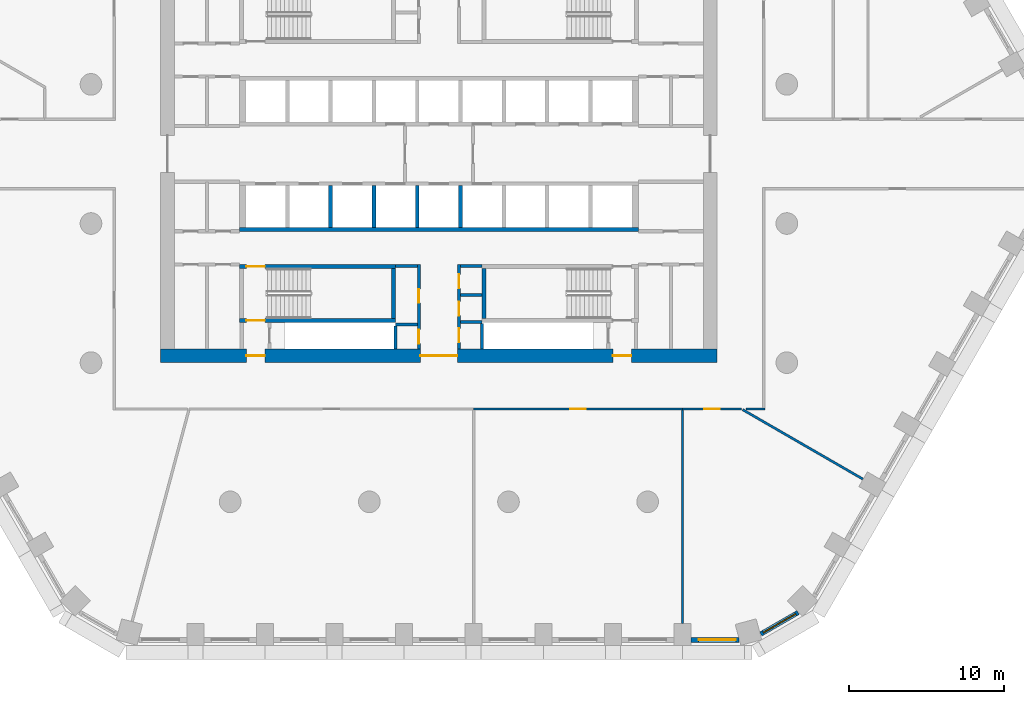
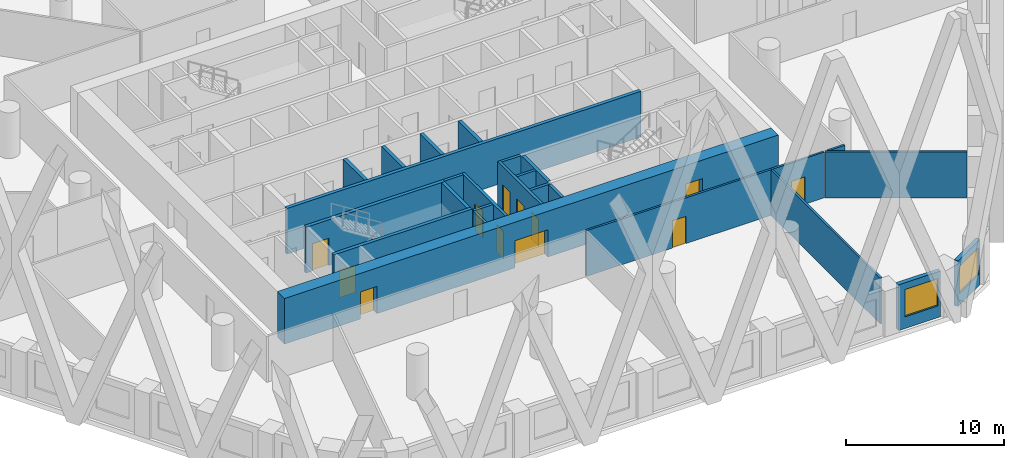
# One storey, part 3 of 18: 26 walls, 12 doors, 2 windows, 14 openings.
"""IFC4 building model written with IfcOpenShell, lengths in metres."""

from ifc_helpers import new_model, si_unit, direction, frame, frame_2d, origin, place, context, subcontext, project, spatial, polyline, rectangle, outline, extrude, material, layer, layer_set, type_object, element, fill, save


model = new_model("IFC4")

# Units and contexts
model_context = context("Model", 3, precision=1e-05, world=origin(), true_north=direction((0.0, 1.0)))
body_context = subcontext(model_context, "Body", "Model", "MODEL_VIEW")
ifc_project = project(units=[si_unit("LENGTHUNIT", "METRE"), si_unit("AREAUNIT", "SQUARE_METRE"), si_unit("VOLUMEUNIT", "CUBIC_METRE"), si_unit("PLANEANGLEUNIT", "RADIAN"), si_unit("MASSUNIT", "GRAM", prefix="KILO")], contexts=[model_context])

# Site, building, storey
site_placement = place(None, origin())
site = spatial("IfcSite", under=ifc_project, at=site_placement, CompositionType="ELEMENT")
building_placement = place(site_placement, origin())
building = spatial("IfcBuilding", under=site, at=building_placement, Name="Dhurran Vertical Campus", CompositionType="ELEMENT")
storey_placement = place(building_placement, frame((0.0, 0.0, 53.39990234375)))
storey = spatial("IfcBuildingStorey", under=building, at=storey_placement, Name="L12", CompositionType="ELEMENT", Elevation=53.39990234375)

# Wall, opening, window
ifc_material_1 = material(Name="Precast concrete C50/60", Category="concrete")
ifc_layer_1 = layer(ifc_material_1, 0.300048828125)
ifc_layer_set_1 = layer_set([ifc_layer_1], Name="Precast concrete C50/60")
wall_type_1 = type_object("IfcWallType", Name="Precast spandrel wall 300", PredefinedType="SOLIDWALL", material=ifc_layer_set_1)
wall_1_placement = place(storey_placement, frame((16.300537109375, -31.4296875, 0.0), z_axis=(0.0, 0.0, 1.0), x_axis=(1.0, 0.0, 0.0)))
wall_1 = element("IfcWall", 1, at=wall_1_placement, inside=storey, type_object=wall_type_1, Name="EW1 L12.08", PredefinedType="SOLIDWALL", context=body_context, shape_type="SweptSolid", body=[
    extrude(rectangle(XDim=3.090576171875, YDim=0.300048828125, at=frame_2d((1.54541015625, 0.0))), origin(), (0.0, 0.0, 1.0), 3.525146484375),
])
opening_1_placement = place(wall_1_placement, frame((0.49951171875, 0.0, 0.89990234375)))
opening_1 = element("IfcOpeningElement", 2, at=opening_1_placement, cuts=wall_1, Name="Opening WT1", PredefinedType="OPENING", context=body_context, shape_type="SweptSolid", body=[
    extrude(rectangle(XDim=2.39990234375, YDim=2.10009765625, at=frame_2d((1.199951171875, 1.050048828125))), frame((0.0, 0.159912109375, 0.0), z_axis=(0.0, -1.0, 0.0), x_axis=(1.0, 0.0, 0.0)), (0.0, 0.0, 1.0), 0.320068359375),
])
ifc_material_2 = material(Name="Aluminium frame with solar-control glass", Category="aluminium")
window_type = type_object("IfcWindowType", Name="Punched window 2400 x 2100", PartitioningType="SINGLE_PANEL", PredefinedType="WINDOW", material=ifc_material_2)
window_1_placement = place(opening_1_placement, origin())
window_1 = element("IfcWindow", 3, at=window_1_placement, inside=storey, type_object=window_type, Name="WT1 L12.08", OverallHeight=2.10009765625, OverallWidth=2.39990234375, PartitioningType="SINGLE_PANEL", PredefinedType="WINDOW", context=body_context, shape_type="SweptSolid", body=[
    extrude(rectangle(XDim=2.39990234375, YDim=2.10009765625, at=frame_2d((1.199951171875, 1.050048828125))), frame((0.0, 0.030029296875, 0.0), z_axis=(0.0, -1.0, 0.0), x_axis=(1.0, 0.0, 0.0)), (0.0, 0.0, 1.0), 0.06005859375),
])
fill(opening_1, window_1)

wall_2_placement = place(storey_placement, frame((20.81884765625, -31.047119140625, 0.0), z_axis=(0.0, 0.0, 1.0), x_axis=(0.866020456713, 0.500008568482, 0.0)))
wall_2 = element("IfcWall", 4, at=wall_2_placement, inside=storey, type_object=wall_type_1, Name="EW1 L12.09", PredefinedType="SOLIDWALL", context=body_context, shape_type="SweptSolid", body=[
    extrude(rectangle(XDim=2.7822265625, YDim=0.300048828125, at=frame_2d((1.39111328125, 0.0))), origin(), (0.0, 0.0, 1.0), 3.525146484375),
])
opening_2_placement = place(wall_2_placement, frame((0.191162109375, 0.0, 0.89990234375)))
opening_2 = element("IfcOpeningElement", 5, at=opening_2_placement, cuts=wall_2, Name="Opening WT1", PredefinedType="OPENING", context=body_context, shape_type="SweptSolid", body=[
    extrude(rectangle(XDim=2.39990234375, YDim=2.10009765625, at=frame_2d((1.199951171875, 1.050048828125))), frame((0.0, 0.159912109375, 0.0), z_axis=(0.0, -1.0, 0.0), x_axis=(1.0, 0.0, 0.0)), (0.0, 0.0, 1.0), 0.320068359375),
])
window_2_placement = place(opening_2_placement, origin())
window_2 = element("IfcWindow", 6, at=window_2_placement, inside=storey, type_object=window_type, Name="WT1 L12.09", OverallHeight=2.10009765625, OverallWidth=2.39990234375, PartitioningType="SINGLE_PANEL", PredefinedType="WINDOW", context=body_context, shape_type="SweptSolid", body=[
    extrude(rectangle(XDim=2.39990234375, YDim=2.10009765625, at=frame_2d((1.199951171875, 1.050048828125))), frame((0.0, 0.030029296875, 0.0), z_axis=(0.0, -1.0, 0.0), x_axis=(1.0, 0.0, 0.0)), (0.0, 0.0, 1.0), 0.06005859375),
])
fill(opening_2, window_2)

# Wall, openings, doors
ifc_material_3 = material(Name="Concrete C60/75", Category="concrete")
ifc_layer_2 = layer(ifc_material_3, 0.89990234375)
ifc_layer_set_2 = layer_set([ifc_layer_2], Name="Concrete C60/75")
wall_type_2 = type_object("IfcWallType", Name="co-CORE-WALL-C0-900", PredefinedType="SHEAR", material=ifc_layer_set_2)
wall_3_placement = place(storey_placement, frame((-18.0, -13.050048828125, 0.0), z_axis=(0.0, 0.0, 1.0), x_axis=(1.0, 0.0, 0.0)))
wall_3 = element("IfcWall", 7, at=wall_3_placement, inside=storey, type_object=wall_type_2, Name="Core wall S L12", PredefinedType="SHEAR", context=body_context, shape_type="SweptSolid", body=[
    extrude(rectangle(XDim=36.0, YDim=0.89990234375, at=frame_2d((18.0, 0.0))), origin(), (0.0, 0.0, 1.0), 3.525146484375),
])
opening_3_placement = place(wall_3_placement, frame((16.800048828125, 0.0, 0.0)))
opening_3 = element("IfcOpeningElement", 8, at=opening_3_placement, cuts=wall_3, Name="Opening CV2", PredefinedType="OPENING", context=body_context, shape_type="SweptSolid", body=[
    extrude(rectangle(XDim=2.39990234375, YDim=2.10009765625, at=frame_2d((1.199951171875, 1.050048828125))), frame((0.0, 0.4599609375, 0.0), z_axis=(0.0, -1.0, 0.0), x_axis=(1.0, 0.0, 0.0)), (0.0, 0.0, 1.0), 0.919921875),
])
opening_4_placement = place(wall_3_placement, frame((5.550048828125, 0.0, 0.0)))
opening_4 = element("IfcOpeningElement", 9, at=opening_4_placement, cuts=wall_3, Name="Opening XD3", PredefinedType="OPENING", context=body_context, shape_type="SweptSolid", body=[
    extrude(rectangle(XDim=1.199951171875, YDim=2.10009765625, at=frame_2d((0.60009765625, 1.050048828125))), frame((0.0, 0.4599609375, 0.0), z_axis=(0.0, -1.0, 0.0), x_axis=(1.0, 0.0, 0.0)), (0.0, 0.0, 1.0), 0.919921875),
])
opening_5_placement = place(wall_3_placement, frame((29.25, 0.0, 0.0)))
opening_5 = element("IfcOpeningElement", 10, at=opening_5_placement, cuts=wall_3, Name="Opening XD4", PredefinedType="OPENING", context=body_context, shape_type="SweptSolid", body=[
    extrude(rectangle(XDim=1.199951171875, YDim=2.10009765625, at=frame_2d((0.60009765625, 1.050048828125))), frame((0.0, 0.4599609375, 0.0), z_axis=(0.0, -1.0, 0.0), x_axis=(1.0, 0.0, 0.0)), (0.0, 0.0, 1.0), 0.919921875),
])
ifc_material_4 = material(Name="Fire-rated glazed door set")
door_type_1 = type_object("IfcDoorType", Name="co-D-LOBBY 2400x2100", OperationType="DOUBLE_DOOR_DOUBLE_SWING", PredefinedType="DOOR", material=ifc_material_4)
door_1_placement = place(opening_3_placement, origin())
door_1 = element("IfcDoor", 11, at=door_1_placement, inside=storey, type_object=door_type_1, Name="Core vestibule door S L12", OperationType="DOUBLE_DOOR_DOUBLE_SWING", OverallHeight=2.10009765625, OverallWidth=2.39990234375, PredefinedType="DOOR", context=body_context, shape_type="SweptSolid", body=[
    extrude(rectangle(XDim=2.39990234375, YDim=2.10009765625, at=frame_2d((1.199951171875, 1.050048828125))), frame((0.0, 0.02490234375, 0.0), z_axis=(0.0, -1.0, 0.0), x_axis=(1.0, 0.0, 0.0)), (0.0, 0.0, 1.0), 0.050048828125),
])
fill(opening_3, door_1)
ifc_material_5 = material(Name="Fire-rated steel door set", Category="steel")
door_type_2 = type_object("IfcDoorType", Name="co-D-STAIR-EXIT 1200x2100", OperationType="SINGLE_SWING_RIGHT", PredefinedType="DOOR", material=ifc_material_5)
door_2_placement = place(opening_4_placement, origin())
door_2 = element("IfcDoor", 12, at=door_2_placement, inside=storey, type_object=door_type_2, Name="Stair ST3 exit door L12", OperationType="SINGLE_SWING_RIGHT", OverallHeight=2.10009765625, OverallWidth=1.199951171875, PredefinedType="DOOR", context=body_context, shape_type="SweptSolid", body=[
    extrude(rectangle(XDim=1.199951171875, YDim=2.10009765625, at=frame_2d((0.60009765625, 1.050048828125))), frame((0.0, 0.02490234375, 0.0), z_axis=(0.0, -1.0, 0.0), x_axis=(1.0, 0.0, 0.0)), (0.0, 0.0, 1.0), 0.050048828125),
])
fill(opening_4, door_2)
door_3_placement = place(opening_5_placement, origin())
door_3 = element("IfcDoor", 13, at=door_3_placement, inside=storey, type_object=door_type_2, Name="Stair ST4 exit door L12", OperationType="SINGLE_SWING_RIGHT", OverallHeight=2.10009765625, OverallWidth=1.199951171875, PredefinedType="DOOR", context=body_context, shape_type="SweptSolid", body=[
    extrude(rectangle(XDim=1.199951171875, YDim=2.10009765625, at=frame_2d((0.60009765625, 1.050048828125))), frame((0.0, 0.02490234375, 0.0), z_axis=(0.0, -1.0, 0.0), x_axis=(1.0, 0.0, 0.0)), (0.0, 0.0, 1.0), 0.050048828125),
])
fill(opening_5, door_3)

# Walls
ifc_material_6 = material(Name="Fire-rated masonry blockwork", Category="masonry")
ifc_layer_3 = layer(ifc_material_6, 0.199951171875)
ifc_layer_set_3 = layer_set([ifc_layer_3], Name="Fire-rated masonry blockwork")
wall_type_3 = type_object("IfcWallType", Name="co-FIRE-PARTITION-200", PredefinedType="PARTITIONING", material=ifc_layer_set_3)
for number, where, z_axis, x_axis, name in (
    (14, (-2.800048828125, -7.25, 0.0), (0.0, 0.0, 1.0), (1.0, 0.0, 0.0), "Core partition sl-SW-S L12"),
    (15, (-2.800048828125, -11.02490234375, 0.0), (0.0, 0.0, 1.0), (1.0, 0.0, 0.0), "Core partition sl-SW-cut0 L12"),
    (16, (1.39990234375, -7.25, 0.0), (0.0, 0.0, 1.0), (1.0, 0.0, 0.0), "Core partition sl-SE-S L12"),
    (17, (1.39990234375, -9.135009765625, 0.0), (0.0, 0.0, 1.0), (1.0, 0.0, 0.0), "Core partition sl-SE-cut0 L12"),
    (18, (1.39990234375, -10.867431640625, 0.0), (0.0, 0.0, 1.0), (1.0, 0.0, 0.0), "Core partition sl-SE-cut1 L12"),
):
    element("IfcWall", number, at=place(storey_placement, frame(where, z_axis=z_axis, x_axis=x_axis)), inside=storey, type_object=wall_type_3, Name=name, PredefinedType="PARTITIONING", context=body_context, shape_type="SweptSolid", body=[
        extrude(rectangle(XDim=1.400146484375, YDim=0.199951171875, at=frame_2d((0.7001953125, 0.0))), origin(), (0.0, 0.0, 1.0), 3.525146484375),
    ])

# Wall, openings, doors
wall_4_placement = place(storey_placement, frame((-1.300048828125, -12.60009765625, 0.0), z_axis=(0.0, 0.0, 1.0), x_axis=(0.0, 1.0, 0.0)))
wall_4 = element("IfcWall", 19, at=wall_4_placement, inside=storey, type_object=wall_type_3, Name="Core partition vest-SW L12", PredefinedType="PARTITIONING", context=body_context, shape_type="SweptSolid", body=[
    extrude(rectangle(XDim=5.4501953125, YDim=0.199951171875, at=frame_2d((2.72509765625, 0.0))), origin(), (0.0, 0.0, 1.0), 3.525146484375),
])
opening_6_placement = place(wall_4_placement, frame((0.33740234375, 0.0, 0.0)))
opening_6 = element("IfcOpeningElement", 20, at=opening_6_placement, cuts=wall_4, Name="Opening T03-C1", PredefinedType="OPENING", context=body_context, shape_type="SweptSolid", body=[
    extrude(rectangle(XDim=0.89990234375, YDim=2.10009765625, at=frame_2d((0.449951171875, 1.050048828125))), frame((0.0, 0.10986328125, 0.0), z_axis=(0.0, -1.0, 0.0), x_axis=(1.0, 0.0, 0.0)), (0.0, 0.0, 1.0), 0.219970703125),
])
opening_7_placement = place(wall_4_placement, frame((2.96240234375, 0.0, 0.0)))
opening_7 = element("IfcOpeningElement", 21, at=opening_7_placement, cuts=wall_4, Name="Opening T03-C2", PredefinedType="OPENING", context=body_context, shape_type="SweptSolid", body=[
    extrude(rectangle(XDim=0.89990234375, YDim=2.10009765625, at=frame_2d((0.449951171875, 1.050048828125))), frame((0.0, 0.10986328125, 0.0), z_axis=(0.0, -1.0, 0.0), x_axis=(1.0, 0.0, 0.0)), (0.0, 0.0, 1.0), 0.219970703125),
])
ifc_material_7 = material(Name="Fire-rated timber door set", Category="wood")
door_type_3 = type_object("IfcDoorType", Name="co-D-ROOM 900x2100", OperationType="SINGLE_SWING_LEFT", PredefinedType="DOOR", material=ifc_material_7)
door_4_placement = place(opening_6_placement, origin())
door_4 = element("IfcDoor", 22, at=door_4_placement, inside=storey, type_object=door_type_3, Name="Plant room door L12", OperationType="SINGLE_SWING_LEFT", OverallHeight=2.10009765625, OverallWidth=0.89990234375, PredefinedType="DOOR", context=body_context, shape_type="SweptSolid", body=[
    extrude(rectangle(XDim=0.89990234375, YDim=2.10009765625, at=frame_2d((0.449951171875, 1.050048828125))), frame((0.0, 0.02490234375, 0.0), z_axis=(0.0, -1.0, 0.0), x_axis=(1.0, 0.0, 0.0)), (0.0, 0.0, 1.0), 0.050048828125),
])
fill(opening_6, door_4)
door_5_placement = place(opening_7_placement, origin())
door_5 = element("IfcDoor", 23, at=door_5_placement, inside=storey, type_object=door_type_3, Name="Water riser door L12", OperationType="SINGLE_SWING_LEFT", OverallHeight=2.10009765625, OverallWidth=0.89990234375, PredefinedType="DOOR", context=body_context, shape_type="SweptSolid", body=[
    extrude(rectangle(XDim=0.89990234375, YDim=2.10009765625, at=frame_2d((0.449951171875, 1.050048828125))), frame((0.0, 0.02490234375, 0.0), z_axis=(0.0, -1.0, 0.0), x_axis=(1.0, 0.0, 0.0)), (0.0, 0.0, 1.0), 0.050048828125),
])
fill(opening_7, door_5)

wall_5_placement = place(storey_placement, frame((1.300048828125, -12.60009765625, 0.0), z_axis=(0.0, 0.0, 1.0), x_axis=(0.0, 1.0, 0.0)))
wall_5 = element("IfcWall", 24, at=wall_5_placement, inside=storey, type_object=wall_type_3, Name="Core partition vest-SE L12", PredefinedType="PARTITIONING", context=body_context, shape_type="SweptSolid", body=[
    extrude(rectangle(XDim=5.4501953125, YDim=0.199951171875, at=frame_2d((2.72509765625, 0.0))), origin(), (0.0, 0.0, 1.0), 3.525146484375),
])
opening_8_placement = place(wall_5_placement, frame((0.416259765625, 0.0, 0.0)))
opening_8 = element("IfcOpeningElement", 25, at=opening_8_placement, cuts=wall_5, Name="Opening T03-C3", PredefinedType="OPENING", context=body_context, shape_type="SweptSolid", body=[
    extrude(rectangle(XDim=0.89990234375, YDim=2.10009765625, at=frame_2d((0.449951171875, 1.050048828125))), frame((0.0, 0.10986328125, 0.0), z_axis=(0.0, -1.0, 0.0), x_axis=(1.0, 0.0, 0.0)), (0.0, 0.0, 1.0), 0.219970703125),
])
opening_9_placement = place(wall_5_placement, frame((2.148681640625, 0.0, 0.0)))
opening_9 = element("IfcOpeningElement", 26, at=opening_9_placement, cuts=wall_5, Name="Opening T03-C4", PredefinedType="OPENING", context=body_context, shape_type="SweptSolid", body=[
    extrude(rectangle(XDim=0.89990234375, YDim=2.10009765625, at=frame_2d((0.449951171875, 1.050048828125))), frame((0.0, 0.10986328125, 0.0), z_axis=(0.0, -1.0, 0.0), x_axis=(1.0, 0.0, 0.0)), (0.0, 0.0, 1.0), 0.219970703125),
])
opening_10_placement = place(wall_5_placement, frame((3.907470703125, 0.0, 0.0)))
opening_10 = element("IfcOpeningElement", 27, at=opening_10_placement, cuts=wall_5, Name="Opening T03-C5", PredefinedType="OPENING", context=body_context, shape_type="SweptSolid", body=[
    extrude(rectangle(XDim=0.89990234375, YDim=2.10009765625, at=frame_2d((0.449951171875, 1.050048828125))), frame((0.0, 0.10986328125, 0.0), z_axis=(0.0, -1.0, 0.0), x_axis=(1.0, 0.0, 0.0)), (0.0, 0.0, 1.0), 0.219970703125),
])
door_6_placement = place(opening_8_placement, origin())
door_6 = element("IfcDoor", 28, at=door_6_placement, inside=storey, type_object=door_type_3, Name="Waste room door L12", OperationType="SINGLE_SWING_LEFT", OverallHeight=2.10009765625, OverallWidth=0.89990234375, PredefinedType="DOOR", context=body_context, shape_type="SweptSolid", body=[
    extrude(rectangle(XDim=0.89990234375, YDim=2.10009765625, at=frame_2d((0.449951171875, 1.050048828125))), frame((0.0, 0.02490234375, 0.0), z_axis=(0.0, -1.0, 0.0), x_axis=(1.0, 0.0, 0.0)), (0.0, 0.0, 1.0), 0.050048828125),
])
fill(opening_8, door_6)
door_7_placement = place(opening_9_placement, origin())
door_7 = element("IfcDoor", 29, at=door_7_placement, inside=storey, type_object=door_type_3, Name="Electrical riser door L12", OperationType="SINGLE_SWING_LEFT", OverallHeight=2.10009765625, OverallWidth=0.89990234375, PredefinedType="DOOR", context=body_context, shape_type="SweptSolid", body=[
    extrude(rectangle(XDim=0.89990234375, YDim=2.10009765625, at=frame_2d((0.449951171875, 1.050048828125))), frame((0.0, 0.02490234375, 0.0), z_axis=(0.0, -1.0, 0.0), x_axis=(1.0, 0.0, 0.0)), (0.0, 0.0, 1.0), 0.050048828125),
])
fill(opening_9, door_7)
door_8_placement = place(opening_10_placement, origin())
door_8 = element("IfcDoor", 30, at=door_8_placement, inside=storey, type_object=door_type_3, Name="Housekeeping store door L12", OperationType="SINGLE_SWING_LEFT", OverallHeight=2.10009765625, OverallWidth=0.89990234375, PredefinedType="DOOR", context=body_context, shape_type="SweptSolid", body=[
    extrude(rectangle(XDim=0.89990234375, YDim=2.10009765625, at=frame_2d((0.449951171875, 1.050048828125))), frame((0.0, 0.02490234375, 0.0), z_axis=(0.0, -1.0, 0.0), x_axis=(1.0, 0.0, 0.0)), (0.0, 0.0, 1.0), 0.050048828125),
])
fill(opening_10, door_8)

# Walls
wall_6_placement = place(storey_placement, frame((-2.800048828125, -12.59912109375, 0.0), z_axis=(0.0, 0.0, 1.0), x_axis=(0.0, 1.0, 0.0)))
element("IfcWall", 31, at=wall_6_placement, inside=storey, type_object=wall_type_3, Name="Riser enclosure wall L12", PredefinedType="PARTITIONING", context=body_context, shape_type="SweptSolid", body=[
    extrude(rectangle(XDim=1.47314453125, YDim=0.199951171875, at=frame_2d((0.736572265625, 0.0))), origin(), (0.0, 0.0, 1.0), 3.525146484375),
])
wall_7_placement = place(storey_placement, frame((2.800048828125, -10.968505859375, 0.0), z_axis=(0.0, 0.0, 1.0), x_axis=(0.0, -1.0, 0.0)))
element("IfcWall", 32, at=wall_7_placement, inside=storey, type_object=wall_type_3, Name="Riser enclosure wall L12", PredefinedType="PARTITIONING", context=body_context, shape_type="SweptSolid", body=[
    extrude(rectangle(XDim=1.630615234375, YDim=0.199951171875, at=frame_2d((0.8154296875, 0.0))), origin(), (0.0, 0.0, 1.0), 3.525146484375),
])
ifc_material_8 = material(Name="Concrete C50/60", Category="concrete")
ifc_layer_4 = layer(ifc_material_8, 0.25)
ifc_layer_set_4 = layer_set([ifc_layer_4], Name="Concrete C50/60")
wall_type_4 = type_object("IfcWallType", Name="co-SHAFT-MASS-250", PredefinedType="SHEAR", material=ifc_layer_set_4)
wall_8_placement = place(storey_placement, origin())
element("IfcWall", 33, at=wall_8_placement, inside=storey, type_object=wall_type_4, Name="Lift shaft wall S L12 1", PredefinedType="SHEAR", context=body_context, shape_type="SweptSolid", body=[
    extrude(outline(polyline([(-12.89990234375, -5.0), (12.89990234375, -5.0), (12.89990234375, -4.75), (-12.89990234375, -4.75), (-12.89990234375, -5.0)])), origin(), (0.0, 0.0, 1.0), 3.525146484375),
])
wall_9_placement = place(storey_placement, origin())
element("IfcWall", 34, at=wall_9_placement, inside=storey, type_object=wall_type_4, Name="Lift shaft wall S L12 4", PredefinedType="SHEAR", context=body_context, shape_type="SweptSolid", body=[
    extrude(outline(polyline([(-7.125, -4.75), (-6.875, -4.75), (-6.875, -2.050048828125), (-7.125, -2.050048828125), (-7.125, -4.75)])), origin(), (0.0, 0.0, 1.0), 3.525146484375),
])
wall_10_placement = place(storey_placement, origin())
element("IfcWall", 35, at=wall_10_placement, inside=storey, type_object=wall_type_4, Name="Lift shaft wall S L12 5", PredefinedType="SHEAR", context=body_context, shape_type="SweptSolid", body=[
    extrude(outline(polyline([(-4.324951171875, -4.75), (-4.074951171875, -4.75), (-4.074951171875, -2.050048828125), (-4.324951171875, -2.050048828125), (-4.324951171875, -4.75)])), origin(), (0.0, 0.0, 1.0), 3.525146484375),
])
wall_11_placement = place(storey_placement, origin())
element("IfcWall", 36, at=wall_11_placement, inside=storey, type_object=wall_type_4, Name="Lift shaft wall S L12 6", PredefinedType="SHEAR", context=body_context, shape_type="SweptSolid", body=[
    extrude(outline(polyline([(-1.52490234375, -4.75), (-1.27490234375, -4.75), (-1.27490234375, -2.050048828125), (-1.52490234375, -2.050048828125), (-1.52490234375, -4.75)])), origin(), (0.0, 0.0, 1.0), 3.525146484375),
])
wall_12_placement = place(storey_placement, origin())
element("IfcWall", 37, at=wall_12_placement, inside=storey, type_object=wall_type_4, Name="Lift shaft wall S L12 7", PredefinedType="SHEAR", context=body_context, shape_type="SweptSolid", body=[
    extrude(outline(polyline([(1.27490234375, -4.75), (1.52490234375, -4.75), (1.52490234375, -2.050048828125), (1.27490234375, -2.050048828125), (1.27490234375, -4.75)])), origin(), (0.0, 0.0, 1.0), 3.525146484375),
])

# Wall, opening, door
ifc_material_9 = material(Name="Concrete C40/50", Category="concrete")
ifc_layer_5 = layer(ifc_material_9, 0.25)
ifc_layer_set_5 = layer_set([ifc_layer_5], Name="Concrete C40/50")
wall_type_5 = type_object("IfcWallType", Name="co-STAIR-WALL-250", PredefinedType="SHEAR", material=ifc_layer_set_5)
wall_13_placement = place(storey_placement, frame((-12.89990234375, -10.77490234375, 0.0), z_axis=(0.0, 0.0, 1.0), x_axis=(1.0, 0.0, 0.0)))
wall_13 = element("IfcWall", 38, at=wall_13_placement, inside=storey, type_object=wall_type_5, Name="Stair ST3 enclosure wall L12", PredefinedType="SHEAR", context=body_context, shape_type="SweptSolid", body=[
    extrude(rectangle(XDim=10.099853515625, YDim=0.25, at=frame_2d((5.0498046875, 0.0))), origin(), (0.0, 0.0, 1.0), 3.525146484375),
])
opening_11_placement = place(wall_13_placement, frame((0.449951171875, 0.0, 0.0)))
opening_11 = element("IfcOpeningElement", 39, at=opening_11_placement, cuts=wall_13, Name="Opening XS3", PredefinedType="OPENING", context=body_context, shape_type="SweptSolid", body=[
    extrude(rectangle(XDim=1.199951171875, YDim=2.10009765625, at=frame_2d((0.60009765625, 1.050048828125))), frame((0.0, 0.135009765625, 0.0), z_axis=(0.0, -1.0, 0.0), x_axis=(1.0, 0.0, 0.0)), (0.0, 0.0, 1.0), 0.27001953125),
])
door_9_placement = place(opening_11_placement, origin())
door_9 = element("IfcDoor", 40, at=door_9_placement, inside=storey, type_object=door_type_2, Name="Stair ST3 discharge door L12", OperationType="SINGLE_SWING_RIGHT", OverallHeight=2.10009765625, OverallWidth=1.199951171875, PredefinedType="DOOR", context=body_context, shape_type="SweptSolid", body=[
    extrude(rectangle(XDim=1.199951171875, YDim=2.10009765625, at=frame_2d((0.60009765625, 1.050048828125))), frame((0.0, 0.02490234375, 0.0), z_axis=(0.0, -1.0, 0.0), x_axis=(1.0, 0.0, 0.0)), (0.0, 0.0, 1.0), 0.050048828125),
])
fill(opening_11, door_9)

wall_14_placement = place(storey_placement, frame((-12.89990234375, -7.27490234375, 0.0), z_axis=(0.0, 0.0, 1.0), x_axis=(1.0, 0.0, 0.0)))
wall_14 = element("IfcWall", 41, at=wall_14_placement, inside=storey, type_object=wall_type_5, Name="Stair ST3 enclosure wall L12", PredefinedType="SHEAR", context=body_context, shape_type="SweptSolid", body=[
    extrude(rectangle(XDim=10.099853515625, YDim=0.25, at=frame_2d((5.0498046875, 0.0))), origin(), (0.0, 0.0, 1.0), 3.525146484375),
])
opening_12_placement = place(wall_14_placement, frame((0.449951171875, 0.0, 0.0)))
opening_12 = element("IfcOpeningElement", 42, at=opening_12_placement, cuts=wall_14, Name="Opening SD3", PredefinedType="OPENING", context=body_context, shape_type="SweptSolid", body=[
    extrude(rectangle(XDim=1.199951171875, YDim=2.10009765625, at=frame_2d((0.60009765625, 1.050048828125))), frame((0.0, 0.135009765625, 0.0), z_axis=(0.0, -1.0, 0.0), x_axis=(1.0, 0.0, 0.0)), (0.0, 0.0, 1.0), 0.27001953125),
])
ifc_material_10 = material(Name="Fire-rated steel door set", Category="steel")
door_type_4 = type_object("IfcDoorType", Name="co-D-STAIR 1200x2100", OperationType="SINGLE_SWING_LEFT", PredefinedType="DOOR", material=ifc_material_10)
door_10_placement = place(opening_12_placement, origin())
door_10 = element("IfcDoor", 43, at=door_10_placement, inside=storey, type_object=door_type_4, Name="Stair ST3 door L12", OperationType="SINGLE_SWING_LEFT", OverallHeight=2.10009765625, OverallWidth=1.199951171875, PredefinedType="DOOR", context=body_context, shape_type="SweptSolid", body=[
    extrude(rectangle(XDim=1.199951171875, YDim=2.10009765625, at=frame_2d((0.60009765625, 1.050048828125))), frame((0.0, 0.02490234375, 0.0), z_axis=(0.0, -1.0, 0.0), x_axis=(1.0, 0.0, 0.0)), (0.0, 0.0, 1.0), 0.050048828125),
])
fill(opening_12, door_10)

# Walls
for number, where, z_axis, x_axis, name in (
    (44, (-2.925048828125, -10.64990234375, 0.0), (0.0, 0.0, 1.0), (0.0, 1.0, 0.0), "Stair ST3 enclosure wall L12"),
    (45, (2.925048828125, -10.64990234375, 0.0), (0.0, 0.0, 1.0), (0.0, 1.0, 0.0), "Stair ST4 enclosure wall L12"),
):
    element("IfcWall", number, at=place(storey_placement, frame(where, z_axis=z_axis, x_axis=x_axis)), inside=storey, type_object=wall_type_5, Name=name, PredefinedType="SHEAR", context=body_context, shape_type="SweptSolid", body=[
        extrude(rectangle(XDim=3.25, YDim=0.25, at=frame_2d((1.625, 0.0))), origin(), (0.0, 0.0, 1.0), 3.525146484375),
    ])

# Wall, opening, door
ifc_material_11 = material(Name="Gypsum board corridor wall on steel studs", Category="steel")
ifc_layer_6 = layer(ifc_material_11, 0.14990234375)
ifc_layer_set_6 = layer_set([ifc_layer_6], Name="Gypsum board corridor wall on steel studs")
wall_type_6 = type_object("IfcWallType", Name="fl-CW-150 corridor wall", PredefinedType="PARTITIONING", material=ifc_layer_set_6)
wall_15_placement = place(storey_placement, frame((2.25, -16.5, 0.0), z_axis=(0.0, 0.0, 1.0), x_axis=(1.0, 0.0, 0.0)))
wall_15 = element("IfcWall", 46, at=wall_15_placement, inside=storey, type_object=wall_type_6, Name="Partition 12-25", PredefinedType="PARTITIONING", context=body_context, shape_type="SweptSolid", body=[
    extrude(rectangle(XDim=13.5, YDim=0.14990234375, at=frame_2d((6.75, 0.0))), origin(), (0.0, 0.0, 1.0), 3.525146484375),
])
opening_13_placement = place(wall_15_placement, frame((6.25, 0.0, 0.0)))
opening_13 = element("IfcOpeningElement", 47, at=opening_13_placement, cuts=wall_15, Name="Opening T03.11", PredefinedType="OPENING", context=body_context, shape_type="SweptSolid", body=[
    extrude(rectangle(XDim=1.0, YDim=2.10009765625, at=frame_2d((0.5, 1.050048828125))), frame((0.0, 0.0849609375, 0.0), z_axis=(0.0, -1.0, 0.0), x_axis=(1.0, 0.0, 0.0)), (0.0, 0.0, 1.0), 0.169921875),
])
ifc_material_12 = material(Name="Solid-core timber door set, fire-rated", Category="wood")
door_type_5 = type_object("IfcDoorType", Name="fl-D-1000x2100", OperationType="SINGLE_SWING_LEFT", PredefinedType="DOOR", material=ifc_material_12)
door_11_placement = place(opening_13_placement, origin())
door_11 = element("IfcDoor", 48, at=door_11_placement, inside=storey, type_object=door_type_5, Name="Door 12.11", OperationType="SINGLE_SWING_LEFT", OverallHeight=2.10009765625, OverallWidth=1.0, PredefinedType="DOOR", context=body_context, shape_type="SweptSolid", body=[
    extrude(rectangle(XDim=1.0, YDim=2.10009765625, at=frame_2d((0.5, 1.050048828125))), frame((0.0, 0.02490234375, 0.0), z_axis=(0.0, -1.0, 0.0), x_axis=(1.0, 0.0, 0.0)), (0.0, 0.0, 1.0), 0.050048828125),
])
fill(opening_13, door_11)

wall_16_placement = place(storey_placement, frame((15.75, -16.5, 0.0), z_axis=(0.0, 0.0, 1.0), x_axis=(1.0, 0.0, 0.0)))
wall_16 = element("IfcWall", 49, at=wall_16_placement, inside=storey, type_object=wall_type_6, Name="Partition 12-38", PredefinedType="PARTITIONING", context=body_context, shape_type="SweptSolid", body=[
    extrude(rectangle(XDim=3.8291015625, YDim=0.14990234375, at=frame_2d((1.91455078125, 0.0))), origin(), (0.0, 0.0, 1.0), 3.525146484375),
])
opening_14_placement = place(wall_16_placement, frame((1.41455078125, 0.0, 0.0)))
opening_14 = element("IfcOpeningElement", 50, at=opening_14_placement, cuts=wall_16, Name="Opening T03.13", PredefinedType="OPENING", context=body_context, shape_type="SweptSolid", body=[
    extrude(rectangle(XDim=1.0, YDim=2.10009765625, at=frame_2d((0.5, 1.050048828125))), frame((0.0, 0.0849609375, 0.0), z_axis=(0.0, -1.0, 0.0), x_axis=(1.0, 0.0, 0.0)), (0.0, 0.0, 1.0), 0.169921875),
])
door_12_placement = place(opening_14_placement, origin())
door_12 = element("IfcDoor", 51, at=door_12_placement, inside=storey, type_object=door_type_5, Name="Door 12.13", OperationType="SINGLE_SWING_RIGHT", OverallHeight=2.10009765625, OverallWidth=1.0, PredefinedType="DOOR", context=body_context, shape_type="SweptSolid", body=[
    extrude(rectangle(XDim=1.0, YDim=2.10009765625, at=frame_2d((0.5, 1.050048828125))), frame((0.0, 0.02490234375, 0.0), z_axis=(0.0, -1.0, 0.0), x_axis=(1.0, 0.0, 0.0)), (0.0, 0.0, 1.0), 0.050048828125),
])
fill(opening_14, door_12)

# Walls
wall_17_placement = place(storey_placement, frame((19.85400390625, -16.5, 0.0), z_axis=(0.0, 0.0, 1.0), x_axis=(1.0, 0.0, 0.0)))
element("IfcWall", 52, at=wall_17_placement, inside=storey, type_object=wall_type_6, Name="Partition 12-39", PredefinedType="PARTITIONING", context=body_context, shape_type="SweptSolid", body=[
    extrude(rectangle(XDim=1.220947265625, YDim=0.14990234375, at=frame_2d((0.6103515625, 0.0))), origin(), (0.0, 0.0, 1.0), 3.525146484375),
])
ifc_material_13 = material(Name="Gypsum board partition on steel studs", Category="steel")
ifc_layer_7 = layer(ifc_material_13, 0.14990234375)
ifc_layer_set_7 = layer_set([ifc_layer_7], Name="Gypsum board partition on steel studs")
wall_type_7 = type_object("IfcWallType", Name="fl-PW-150 fixed partition", PredefinedType="PARTITIONING", material=ifc_layer_set_7)
wall_18_placement = place(storey_placement, frame((15.75, -16.574951171875, 0.0), z_axis=(0.0, 0.0, 1.0), x_axis=(0.0, -1.0, 0.0)))
element("IfcWall", 53, at=wall_18_placement, inside=storey, type_object=wall_type_7, Name="Partition 12-37", PredefinedType="PARTITIONING", context=body_context, shape_type="SweptSolid", body=[
    extrude(rectangle(XDim=13.784912109375, YDim=0.14990234375, at=frame_2d((6.892578125, 0.0))), origin(), (0.0, 0.0, 1.0), 3.525146484375),
])
wall_19_placement = place(storey_placement, frame((19.643798828125, -16.53759765625, 0.0), z_axis=(0.0, 0.0, 1.0), x_axis=(0.866004853516, -0.500035592419, 0.0)))
element("IfcWall", 54, at=wall_19_placement, inside=storey, type_object=wall_type_7, Name="Partition 12-40", PredefinedType="PARTITIONING", context=body_context, shape_type="SweptSolid", body=[
    extrude(rectangle(XDim=8.975830078125, YDim=0.14990234375, at=frame_2d((4.48779296875, 0.0))), origin(), (0.0, 0.0, 1.0), 3.525146484375),
])

save(model, "model.ifc")
